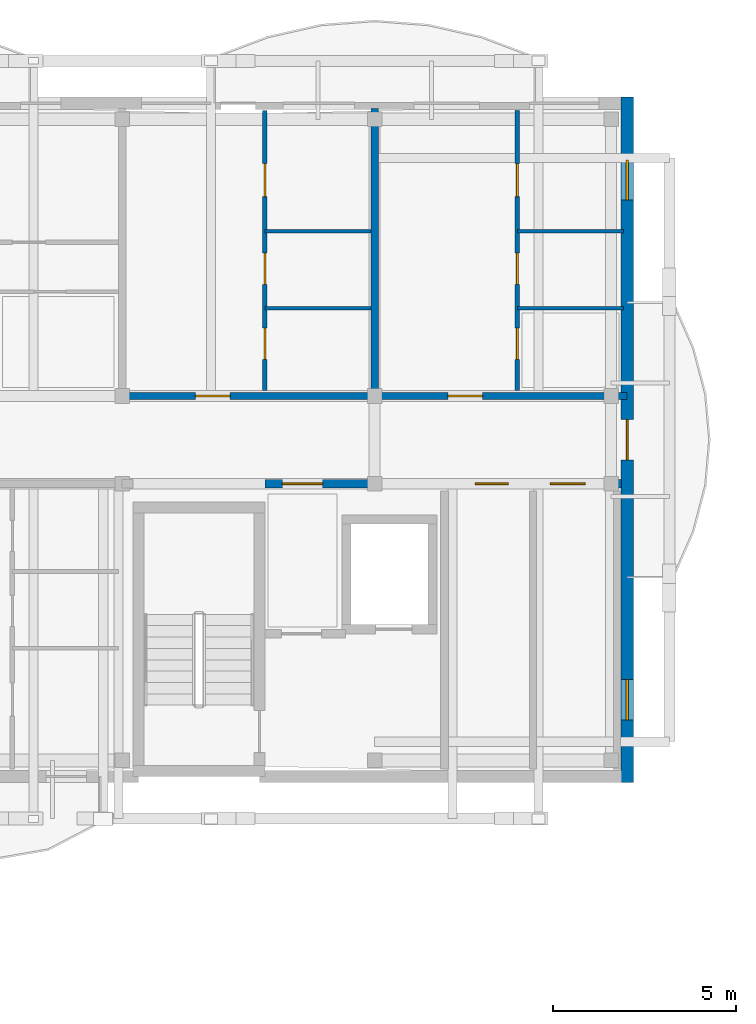
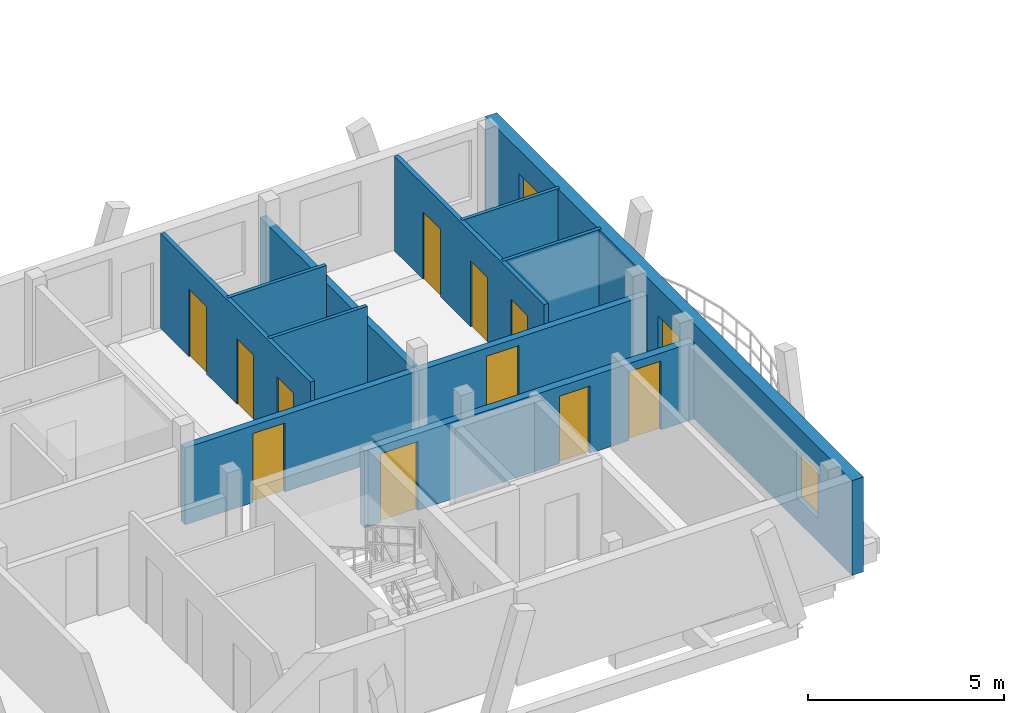
# One storey, part 17 of 29: 12 doors, 11 walls, 2 windows, 14 openings.
"""IFC4 building model written with IfcOpenShell, lengths in metres."""

from ifc_helpers import new_model, si_unit, direction, frame, frame_2d, origin, origin_with_axes, place, context, subcontext, project, spatial, rectangle, extrude, material, layer, layer_set, type_object, element, fill, save


model = new_model("IFC4")

# Units and contexts
model_context = context("Model", 3, precision=1e-05, world=origin(), true_north=direction((0.0, 1.0)))
body_context = subcontext(model_context, "Body", "Model", "MODEL_VIEW")
ifc_project = project(units=[si_unit("LENGTHUNIT", "METRE"), si_unit("AREAUNIT", "SQUARE_METRE"), si_unit("VOLUMEUNIT", "CUBIC_METRE"), si_unit("PLANEANGLEUNIT", "RADIAN"), si_unit("MASSUNIT", "GRAM", prefix="KILO")], contexts=[model_context])

# Site, building, storey
site_placement = place(None, origin())
site = spatial("IfcSite", under=ifc_project, at=site_placement, CompositionType="ELEMENT")
building_placement = place(site_placement, origin())
building = spatial("IfcBuilding", under=site, at=building_placement, Name="Zavelmont Quarter", CompositionType="ELEMENT")
storey_placement = place(building_placement, frame((0.0, 0.0, 33.60009765625)))
storey = spatial("IfcBuildingStorey", under=building, at=storey_placement, Name="L10", CompositionType="ELEMENT", Elevation=33.60009765625)

# Wall, openings, door, windows
ifc_material_1 = material(Name="Natural Belgian limestone", Category="masonry")
ifc_layer_1 = layer(ifc_material_1, 0.340087890625)
ifc_layer_set_1 = layer_set([ifc_layer_1], Name="Natural Belgian limestone")
wall_type_1 = type_object("IfcWallType", Name="EW03", PredefinedType="STANDARD", material=ifc_layer_set_1)
wall_1_placement = place(storey_placement, frame((41.39990234375, 97.429931640625, 0.0), z_axis=(0.0, 0.0, 1.0), x_axis=(0.0, 1.0, 0.0)))
wall_1 = element("IfcWall", 1, at=wall_1_placement, inside=storey, type_object=wall_type_1, Name="L10 exterior limestone wall EW03", PredefinedType="STANDARD", context=body_context, shape_type="SweptSolid", body=[
    extrude(rectangle(XDim=18.739990234375, YDim=0.340087890625, at=frame_2d((9.3701171875, 0.0))), origin(), (0.0, 0.0, 1.0), 2.9599609375),
])
opening_1_placement = place(wall_1_placement, frame((8.820068359375, 0.0, 0.0)))
opening_1 = element("IfcOpeningElement", 2, at=opening_1_placement, cuts=wall_1, Name="Opening DR04B", PredefinedType="OPENING", context=body_context, shape_type="SweptSolid", body=[
    extrude(rectangle(XDim=1.10009765625, YDim=2.10009765625, at=frame_2d((0.550048828125, 1.050048828125))), frame((0.0, 0.18212890625, 0.0), z_axis=(0.0, -1.0, 0.0), x_axis=(1.0, 0.0, 0.0)), (0.0, 0.0, 1.0), 0.364013671875),
])
opening_2_placement = place(wall_1_placement, frame((1.719970703125, 0.0, 0.719970703125)))
opening_2 = element("IfcOpeningElement", 3, at=opening_2_placement, cuts=wall_1, Name="Opening WN09", PredefinedType="OPENING", context=body_context, shape_type="SweptSolid", body=[
    extrude(rectangle(XDim=1.10009765625, YDim=1.5, at=frame_2d((0.550048828125, 0.75))), frame((0.0, 0.18212890625, 0.0), z_axis=(0.0, -1.0, 0.0), x_axis=(1.0, 0.0, 0.0)), (0.0, 0.0, 1.0), 0.364013671875),
])
opening_3_placement = place(wall_1_placement, frame((15.919921875, 0.0, 0.719970703125)))
opening_3 = element("IfcOpeningElement", 4, at=opening_3_placement, cuts=wall_1, Name="Opening WN09", PredefinedType="OPENING", context=body_context, shape_type="SweptSolid", body=[
    extrude(rectangle(XDim=1.10009765625, YDim=1.5, at=frame_2d((0.550048828125, 0.75))), frame((0.0, 0.18212890625, 0.0), z_axis=(0.0, -1.0, 0.0), x_axis=(1.0, 0.0, 0.0)), (0.0, 0.0, 1.0), 0.364013671875),
])
ifc_material_2 = material(Name="Thermally broken aluminium and double safety glass", Category="aluminium")
door_type_1 = type_object("IfcDoorType", Name="DR04B", OperationType="NOTDEFINED", PredefinedType="DOOR", material=ifc_material_2)
door_1_placement = place(opening_1_placement, origin_with_axes())
door_1 = element("IfcDoor", 5, at=door_1_placement, inside=storey, type_object=door_type_1, Name="Block B L10 terrace or vase balcony door", OperationType="SINGLE_SWING_LEFT", OverallHeight=2.10009765625, OverallWidth=1.10009765625, PredefinedType="DOOR", context=body_context, shape_type="SweptSolid", body=[
    extrude(rectangle(XDim=1.10009765625, YDim=2.10009765625, at=frame_2d((0.550048828125, 1.050048828125))), frame((0.0, 0.02490234375, 0.0), z_axis=(0.0, -1.0, 0.0), x_axis=(1.0, 0.0, 0.0)), (0.0, 0.0, 1.0), 0.050048828125),
])
fill(opening_1, door_1)
ifc_material_3 = material(Name="Double low-E insulated glazing in thermally broken aluminium frame", Category="aluminium")
window_type = type_object("IfcWindowType", Name="WN09", PartitioningType="SINGLE_PANEL", PredefinedType="WINDOW", material=ifc_material_3)
window_1_placement = place(opening_2_placement, origin_with_axes())
window_1 = element("IfcWindow", 6, at=window_1_placement, inside=storey, type_object=window_type, Name="L10 window WN09", OverallHeight=1.5, OverallWidth=1.10009765625, PartitioningType="SINGLE_PANEL", PredefinedType="WINDOW", context=body_context, shape_type="SweptSolid", body=[
    extrude(rectangle(XDim=1.10009765625, YDim=1.5, at=frame_2d((0.550048828125, 0.75))), frame((0.0, 0.030029296875, 0.0), z_axis=(0.0, -1.0, 0.0), x_axis=(1.0, 0.0, 0.0)), (0.0, 0.0, 1.0), 0.06005859375),
])
fill(opening_2, window_1)
window_2_placement = place(opening_3_placement, origin_with_axes())
window_2 = element("IfcWindow", 7, at=window_2_placement, inside=storey, type_object=window_type, Name="L10 window WN09", OverallHeight=1.5, OverallWidth=1.10009765625, PartitioningType="SINGLE_PANEL", PredefinedType="WINDOW", context=body_context, shape_type="SweptSolid", body=[
    extrude(rectangle(XDim=1.10009765625, YDim=1.5, at=frame_2d((0.550048828125, 0.75))), frame((0.0, 0.030029296875, 0.0), z_axis=(0.0, -1.0, 0.0), x_axis=(1.0, 0.0, 0.0)), (0.0, 0.0, 1.0), 0.06005859375),
])
fill(opening_3, window_2)

# Wall
ifc_material_4 = material(Name="Calcium-silicate blockwork and acoustic plaster", Category="masonry")
ifc_layer_2 = layer(ifc_material_4, 0.199951171875)
ifc_layer_set_2 = layer_set([ifc_layer_2], Name="Calcium-silicate blockwork and acoustic plaster")
wall_type_2 = type_object("IfcWallType", Name="IW01", PredefinedType="PARTITIONING", material=ifc_layer_set_2)
wall_2_placement = place(storey_placement, frame((34.5, 108.14990234375, 0.0), z_axis=(0.0, 0.0, 1.0), x_axis=(0.0, 1.0, 0.0)))
element("IfcWall", 8, at=wall_2_placement, inside=storey, type_object=wall_type_2, Name="L10 Inter-dwelling compartment wall IW01", PredefinedType="PARTITIONING", context=body_context, shape_type="SweptSolid", body=[
    extrude(rectangle(XDim=7.7001953125, YDim=0.199951171875, at=frame_2d((3.85009765625, 0.0))), origin(), (0.0, 0.0, 1.0), 2.39990234375),
])

# Wall, opening, door
wall_3_placement = place(storey_placement, frame((27.60009765625, 108.0, 0.0), z_axis=(0.0, 0.0, 1.0), x_axis=(1.0, 0.0, 0.0)))
wall_3 = element("IfcWall", 9, at=wall_3_placement, inside=storey, type_object=wall_type_2, Name="L10 Corridor compartment wall IW01", PredefinedType="PARTITIONING", context=body_context, shape_type="SweptSolid", body=[
    extrude(rectangle(XDim=6.89990234375, YDim=0.199951171875, at=frame_2d((3.449951171875, 0.0))), origin(), (0.0, 0.0, 1.0), 2.39990234375),
])
opening_4_placement = place(wall_3_placement, frame((2.0, 0.0, 0.0)))
opening_4 = element("IfcOpeningElement", 10, at=opening_4_placement, cuts=wall_3, Name="Opening DR02", PredefinedType="OPENING", context=body_context, shape_type="SweptSolid", body=[
    extrude(rectangle(XDim=0.949951171875, YDim=2.14990234375, at=frame_2d((0.47509765625, 1.074951171875))), frame((0.0, 0.11181640625, 0.0), z_axis=(0.0, -1.0, 0.0), x_axis=(1.0, 0.0, 0.0)), (0.0, 0.0, 1.0), 0.223876953125),
])
ifc_material_5 = material(Name="Solid-core oak fire leaf in steel frame", Category="steel")
door_type_2 = type_object("IfcDoorType", Name="DR02", OperationType="NOTDEFINED", PredefinedType="DOOR", material=ifc_material_5)
door_2_placement = place(opening_4_placement, origin_with_axes())
door_2 = element("IfcDoor", 11, at=door_2_placement, inside=storey, type_object=door_type_2, Name="L10 door DR02", OperationType="SINGLE_SWING_RIGHT", OverallHeight=2.14990234375, OverallWidth=0.949951171875, PredefinedType="DOOR", context=body_context, shape_type="SweptSolid", body=[
    extrude(rectangle(XDim=0.949951171875, YDim=2.14990234375, at=frame_2d((0.47509765625, 1.074951171875))), frame((0.0, 0.02490234375, 0.0), z_axis=(0.0, -1.0, 0.0), x_axis=(1.0, 0.0, 0.0)), (0.0, 0.0, 1.0), 0.050048828125),
])
fill(opening_4, door_2)

wall_4_placement = place(storey_placement, frame((34.5, 108.0, 0.0), z_axis=(0.0, 0.0, 1.0), x_axis=(1.0, 0.0, 0.0)))
wall_4 = element("IfcWall", 12, at=wall_4_placement, inside=storey, type_object=wall_type_2, Name="L10 Corridor compartment wall IW01", PredefinedType="PARTITIONING", context=body_context, shape_type="SweptSolid", body=[
    extrude(rectangle(XDim=6.89990234375, YDim=0.199951171875, at=frame_2d((3.449951171875, 0.0))), origin(), (0.0, 0.0, 1.0), 2.39990234375),
])
opening_5_placement = place(wall_4_placement, frame((2.0, 0.0, 0.0)))
opening_5 = element("IfcOpeningElement", 13, at=opening_5_placement, cuts=wall_4, Name="Opening DR02", PredefinedType="OPENING", context=body_context, shape_type="SweptSolid", body=[
    extrude(rectangle(XDim=0.949951171875, YDim=2.14990234375, at=frame_2d((0.47509765625, 1.074951171875))), frame((0.0, 0.11181640625, 0.0), z_axis=(0.0, -1.0, 0.0), x_axis=(1.0, 0.0, 0.0)), (0.0, 0.0, 1.0), 0.223876953125),
])
door_3_placement = place(opening_5_placement, origin_with_axes())
door_3 = element("IfcDoor", 14, at=door_3_placement, inside=storey, type_object=door_type_2, Name="L10 door DR02", OperationType="SINGLE_SWING_LEFT", OverallHeight=2.14990234375, OverallWidth=0.949951171875, PredefinedType="DOOR", context=body_context, shape_type="SweptSolid", body=[
    extrude(rectangle(XDim=0.949951171875, YDim=2.14990234375, at=frame_2d((0.47509765625, 1.074951171875))), frame((0.0, 0.02490234375, 0.0), z_axis=(0.0, -1.0, 0.0), x_axis=(1.0, 0.0, 0.0)), (0.0, 0.0, 1.0), 0.050048828125),
])
fill(opening_5, door_3)

# Wall, openings, doors
ifc_material_6 = material(Name="Reinforced masonry fire compartment wall", Category="masonry")
ifc_layer_3 = layer(ifc_material_6, 0.22509765625)
ifc_layer_set_3 = layer_set([ifc_layer_3], Name="Reinforced masonry fire compartment wall")
wall_type_3 = type_object("IfcWallType", Name="IW02", PredefinedType="PARTITIONING", material=ifc_layer_set_3)
wall_5_placement = place(storey_placement, frame((31.5, 105.60009765625, 0.0), z_axis=(0.0, 0.0, 1.0), x_axis=(1.0, 0.0, 0.0)))
wall_5 = element("IfcWall", 15, at=wall_5_placement, inside=storey, type_object=wall_type_3, Name="L10 Core corridor fire wall IW02", PredefinedType="PARTITIONING", context=body_context, shape_type="SweptSolid", body=[
    extrude(rectangle(XDim=9.75, YDim=0.22509765625, at=frame_2d((4.875, 0.0))), origin(), (0.0, 0.0, 1.0), 2.39990234375),
])
opening_6_placement = place(wall_5_placement, frame((0.47509765625, 0.0, 0.0)))
opening_6 = element("IfcOpeningElement", 16, at=opening_6_placement, cuts=wall_5, Name="Opening DR10", PredefinedType="OPENING", context=body_context, shape_type="SweptSolid", body=[
    extrude(rectangle(XDim=1.10009765625, YDim=2.14990234375, at=frame_2d((0.550048828125, 1.074951171875))), frame((0.0, 0.12451171875, 0.0), z_axis=(0.0, -1.0, 0.0), x_axis=(1.0, 0.0, 0.0)), (0.0, 0.0, 1.0), 0.2490234375),
])
opening_7_placement = place(wall_5_placement, frame((5.75, 0.0, 0.0)))
opening_7 = element("IfcOpeningElement", 17, at=opening_7_placement, cuts=wall_5, Name="Opening DR11", PredefinedType="OPENING", context=body_context, shape_type="SweptSolid", body=[
    extrude(rectangle(XDim=0.89990234375, YDim=2.10009765625, at=frame_2d((0.449951171875, 1.050048828125))), frame((0.0, 0.12451171875, 0.0), z_axis=(0.0, -1.0, 0.0), x_axis=(1.0, 0.0, 0.0)), (0.0, 0.0, 1.0), 0.2490234375),
])
opening_8_placement = place(wall_5_placement, frame((7.800048828125, 0.0, 0.0)))
opening_8 = element("IfcOpeningElement", 18, at=opening_8_placement, cuts=wall_5, Name="Opening DR02", PredefinedType="OPENING", context=body_context, shape_type="SweptSolid", body=[
    extrude(rectangle(XDim=0.949951171875, YDim=2.14990234375, at=frame_2d((0.47509765625, 1.074951171875))), frame((0.0, 0.12451171875, 0.0), z_axis=(0.0, -1.0, 0.0), x_axis=(1.0, 0.0, 0.0)), (0.0, 0.0, 1.0), 0.2490234375),
])
door_4_placement = place(opening_8_placement, origin_with_axes())
door_4 = element("IfcDoor", 19, at=door_4_placement, inside=storey, type_object=door_type_2, Name="Auxiliary store corridor door", OperationType="SINGLE_SWING_RIGHT", OverallHeight=2.14990234375, OverallWidth=0.949951171875, PredefinedType="DOOR", context=body_context, shape_type="SweptSolid", body=[
    extrude(rectangle(XDim=0.949951171875, YDim=2.14990234375, at=frame_2d((0.47509765625, 1.074951171875))), frame((0.0, 0.02490234375, 0.0), z_axis=(0.0, -1.0, 0.0), x_axis=(1.0, 0.0, 0.0)), (0.0, 0.0, 1.0), 0.050048828125),
])
fill(opening_8, door_4)
ifc_material_7 = material(Name="Painted steel lobby fire door", Category="steel")
door_type_3 = type_object("IfcDoorType", Name="DR10", OperationType="NOTDEFINED", PredefinedType="DOOR", material=ifc_material_7)
door_5_placement = place(opening_6_placement, frame((1.10009765625, 0.0, 0.0), z_axis=(0.0, 0.0, 1.0), x_axis=(-1.0, 0.0, 0.0)))
door_5 = element("IfcDoor", 20, at=door_5_placement, inside=storey, type_object=door_type_3, Name="Core vestibule fire door", OperationType="SINGLE_SWING_RIGHT", OverallHeight=2.14990234375, OverallWidth=1.10009765625, PredefinedType="DOOR", context=body_context, shape_type="SweptSolid", body=[
    extrude(rectangle(XDim=1.10009765625, YDim=2.14990234375, at=frame_2d((0.550048828125, 1.074951171875))), frame((0.0, 0.02490234375, 0.0), z_axis=(0.0, -1.0, 0.0), x_axis=(1.0, 0.0, 0.0)), (0.0, 0.0, 1.0), 0.050048828125),
])
fill(opening_6, door_5)
ifc_material_8 = material(Name="Painted steel service-riser fire door", Category="steel")
door_type_4 = type_object("IfcDoorType", Name="DR11", OperationType="NOTDEFINED", PredefinedType="DOOR", material=ifc_material_8)
door_6_placement = place(opening_7_placement, origin_with_axes())
door_6 = element("IfcDoor", 21, at=door_6_placement, inside=storey, type_object=door_type_4, Name="Service riser fire door", OperationType="SINGLE_SWING_LEFT", OverallHeight=2.10009765625, OverallWidth=0.89990234375, PredefinedType="DOOR", context=body_context, shape_type="SweptSolid", body=[
    extrude(rectangle(XDim=0.89990234375, YDim=2.10009765625, at=frame_2d((0.449951171875, 1.050048828125))), frame((0.0, 0.02490234375, 0.0), z_axis=(0.0, -1.0, 0.0), x_axis=(1.0, 0.0, 0.0)), (0.0, 0.0, 1.0), 0.050048828125),
])
fill(opening_7, door_6)

ifc_material_9 = material(Name="Double gypsum board on acoustic steel stud", Category="steel")
ifc_layer_4 = layer(ifc_material_9, 0.125)
ifc_layer_set_4 = layer_set([ifc_layer_4], Name="Double gypsum board on acoustic steel stud")
wall_type_4 = type_object("IfcWallType", Name="IW03", PredefinedType="PARTITIONING", material=ifc_layer_set_4)
wall_6_placement = place(storey_placement, frame((31.5, 108.14990234375, 0.0), z_axis=(0.0, 0.0, 1.0), x_axis=(0.0, 1.0, 0.0)))
wall_6 = element("IfcWall", 22, at=wall_6_placement, inside=storey, type_object=wall_type_4, Name="L10 Partition IW03", PredefinedType="PARTITIONING", context=body_context, shape_type="SweptSolid", body=[
    extrude(rectangle(XDim=7.650146484375, YDim=0.125, at=frame_2d((3.8251953125, 0.0))), origin(), (0.0, 0.0, 1.0), 2.9599609375),
])
opening_9_placement = place(wall_6_placement, frame((0.85009765625, 0.0, 0.0)))
opening_9 = element("IfcOpeningElement", 23, at=opening_9_placement, cuts=wall_6, Name="Opening DR16", PredefinedType="OPENING", context=body_context, shape_type="SweptSolid", body=[
    extrude(rectangle(XDim=0.85009765625, YDim=2.10009765625, at=frame_2d((0.425048828125, 1.050048828125))), frame((0.0, 0.074462890625, 0.0), z_axis=(0.0, -1.0, 0.0), x_axis=(1.0, 0.0, 0.0)), (0.0, 0.0, 1.0), 0.14892578125),
])
opening_10_placement = place(wall_6_placement, frame((2.89990234375, 0.0, 0.0)))
opening_10 = element("IfcOpeningElement", 24, at=opening_10_placement, cuts=wall_6, Name="Opening DR06", PredefinedType="OPENING", context=body_context, shape_type="SweptSolid", body=[
    extrude(rectangle(XDim=0.85009765625, YDim=2.050048828125, at=frame_2d((0.425048828125, 1.02490234375))), frame((0.0, 0.074462890625, 0.0), z_axis=(0.0, -1.0, 0.0), x_axis=(1.0, 0.0, 0.0)), (0.0, 0.0, 1.0), 0.14892578125),
])
opening_11_placement = place(wall_6_placement, frame((5.300048828125, 0.0, 0.0)))
opening_11 = element("IfcOpeningElement", 25, at=opening_11_placement, cuts=wall_6, Name="Opening DR05", PredefinedType="OPENING", context=body_context, shape_type="SweptSolid", body=[
    extrude(rectangle(XDim=0.89990234375, YDim=2.10009765625, at=frame_2d((0.449951171875, 1.050048828125))), frame((0.0, 0.074462890625, 0.0), z_axis=(0.0, -1.0, 0.0), x_axis=(1.0, 0.0, 0.0)), (0.0, 0.0, 1.0), 0.14892578125),
])
ifc_material_10 = material(Name="Engineered oak flush interior door")
door_type_5 = type_object("IfcDoorType", Name="DR05", OperationType="NOTDEFINED", PredefinedType="DOOR", material=ifc_material_10)
door_7_placement = place(opening_11_placement, frame((0.89990234375, 0.0, 0.0), z_axis=(0.0, 0.0, 1.0), x_axis=(-1.0, 0.0, 0.0)))
door_7 = element("IfcDoor", 26, at=door_7_placement, inside=storey, type_object=door_type_5, Name="L10 door DR05", OperationType="SINGLE_SWING_RIGHT", OverallHeight=2.10009765625, OverallWidth=0.89990234375, PredefinedType="DOOR", context=body_context, shape_type="SweptSolid", body=[
    extrude(rectangle(XDim=0.89990234375, YDim=2.10009765625, at=frame_2d((0.449951171875, 1.050048828125))), frame((0.0, 0.02490234375, 0.0), z_axis=(0.0, -1.0, 0.0), x_axis=(1.0, 0.0, 0.0)), (0.0, 0.0, 1.0), 0.050048828125),
])
fill(opening_11, door_7)
ifc_material_11 = material(Name="Moisture-resistant painted wet-room door")
door_type_6 = type_object("IfcDoorType", Name="DR06", OperationType="NOTDEFINED", PredefinedType="DOOR", material=ifc_material_11)
door_8_placement = place(opening_10_placement, origin_with_axes())
door_8 = element("IfcDoor", 27, at=door_8_placement, inside=storey, type_object=door_type_6, Name="L10 door DR06", OperationType="SINGLE_SWING_LEFT", OverallHeight=2.050048828125, OverallWidth=0.85009765625, PredefinedType="DOOR", context=body_context, shape_type="SweptSolid", body=[
    extrude(rectangle(XDim=0.85009765625, YDim=2.050048828125, at=frame_2d((0.425048828125, 1.02490234375))), frame((0.0, 0.02490234375, 0.0), z_axis=(0.0, -1.0, 0.0), x_axis=(1.0, 0.0, 0.0)), (0.0, 0.0, 1.0), 0.050048828125),
])
fill(opening_10, door_8)
door_type_7 = type_object("IfcDoorType", Name="DR16", OperationType="NOTDEFINED", PredefinedType="DOOR", material=ifc_material_10)
door_9_placement = place(opening_9_placement, frame((0.85009765625, 0.0, 0.0), z_axis=(0.0, 0.0, 1.0), x_axis=(-1.0, 0.0, 0.0)))
door_9 = element("IfcDoor", 28, at=door_9_placement, inside=storey, type_object=door_type_7, Name="L10 door DR16", OperationType="SINGLE_SWING_RIGHT", OverallHeight=2.10009765625, OverallWidth=0.85009765625, PredefinedType="DOOR", context=body_context, shape_type="SweptSolid", body=[
    extrude(rectangle(XDim=0.85009765625, YDim=2.10009765625, at=frame_2d((0.425048828125, 1.050048828125))), frame((0.0, 0.02490234375, 0.0), z_axis=(0.0, -1.0, 0.0), x_axis=(1.0, 0.0, 0.0)), (0.0, 0.0, 1.0), 0.050048828125),
])
fill(opening_9, door_9)

wall_7_placement = place(storey_placement, frame((38.39990234375, 108.14990234375, 0.0), z_axis=(0.0, 0.0, 1.0), x_axis=(0.0, 1.0, 0.0)))
wall_7 = element("IfcWall", 29, at=wall_7_placement, inside=storey, type_object=wall_type_4, Name="L10 Partition IW03", PredefinedType="PARTITIONING", context=body_context, shape_type="SweptSolid", body=[
    extrude(rectangle(XDim=7.650146484375, YDim=0.125, at=frame_2d((3.8251953125, 0.0))), origin(), (0.0, 0.0, 1.0), 2.9599609375),
])
opening_12_placement = place(wall_7_placement, frame((0.85009765625, 0.0, 0.0)))
opening_12 = element("IfcOpeningElement", 30, at=opening_12_placement, cuts=wall_7, Name="Opening DR16", PredefinedType="OPENING", context=body_context, shape_type="SweptSolid", body=[
    extrude(rectangle(XDim=0.85009765625, YDim=2.10009765625, at=frame_2d((0.425048828125, 1.050048828125))), frame((0.0, 0.074462890625, 0.0), z_axis=(0.0, -1.0, 0.0), x_axis=(1.0, 0.0, 0.0)), (0.0, 0.0, 1.0), 0.14892578125),
])
opening_13_placement = place(wall_7_placement, frame((2.89990234375, 0.0, 0.0)))
opening_13 = element("IfcOpeningElement", 31, at=opening_13_placement, cuts=wall_7, Name="Opening DR06", PredefinedType="OPENING", context=body_context, shape_type="SweptSolid", body=[
    extrude(rectangle(XDim=0.85009765625, YDim=2.050048828125, at=frame_2d((0.425048828125, 1.02490234375))), frame((0.0, 0.074462890625, 0.0), z_axis=(0.0, -1.0, 0.0), x_axis=(1.0, 0.0, 0.0)), (0.0, 0.0, 1.0), 0.14892578125),
])
opening_14_placement = place(wall_7_placement, frame((5.300048828125, 0.0, 0.0)))
opening_14 = element("IfcOpeningElement", 32, at=opening_14_placement, cuts=wall_7, Name="Opening DR05", PredefinedType="OPENING", context=body_context, shape_type="SweptSolid", body=[
    extrude(rectangle(XDim=0.89990234375, YDim=2.10009765625, at=frame_2d((0.449951171875, 1.050048828125))), frame((0.0, 0.074462890625, 0.0), z_axis=(0.0, -1.0, 0.0), x_axis=(1.0, 0.0, 0.0)), (0.0, 0.0, 1.0), 0.14892578125),
])
door_10_placement = place(opening_14_placement, frame((0.89990234375, 0.0, 0.0), z_axis=(0.0, 0.0, 1.0), x_axis=(-1.0, 0.0, 0.0)))
door_10 = element("IfcDoor", 33, at=door_10_placement, inside=storey, type_object=door_type_5, Name="L10 door DR05", OperationType="SINGLE_SWING_LEFT", OverallHeight=2.10009765625, OverallWidth=0.89990234375, PredefinedType="DOOR", context=body_context, shape_type="SweptSolid", body=[
    extrude(rectangle(XDim=0.89990234375, YDim=2.10009765625, at=frame_2d((0.449951171875, 1.050048828125))), frame((0.0, 0.02490234375, 0.0), z_axis=(0.0, -1.0, 0.0), x_axis=(1.0, 0.0, 0.0)), (0.0, 0.0, 1.0), 0.050048828125),
])
fill(opening_14, door_10)
door_11_placement = place(opening_13_placement, origin_with_axes())
door_11 = element("IfcDoor", 34, at=door_11_placement, inside=storey, type_object=door_type_6, Name="L10 door DR06", OperationType="SINGLE_SWING_RIGHT", OverallHeight=2.050048828125, OverallWidth=0.85009765625, PredefinedType="DOOR", context=body_context, shape_type="SweptSolid", body=[
    extrude(rectangle(XDim=0.85009765625, YDim=2.050048828125, at=frame_2d((0.425048828125, 1.02490234375))), frame((0.0, 0.02490234375, 0.0), z_axis=(0.0, -1.0, 0.0), x_axis=(1.0, 0.0, 0.0)), (0.0, 0.0, 1.0), 0.050048828125),
])
fill(opening_13, door_11)
door_12_placement = place(opening_12_placement, frame((0.85009765625, 0.0, 0.0), z_axis=(0.0, 0.0, 1.0), x_axis=(-1.0, 0.0, 0.0)))
door_12 = element("IfcDoor", 35, at=door_12_placement, inside=storey, type_object=door_type_7, Name="L10 door DR16", OperationType="SINGLE_SWING_LEFT", OverallHeight=2.10009765625, OverallWidth=0.85009765625, PredefinedType="DOOR", context=body_context, shape_type="SweptSolid", body=[
    extrude(rectangle(XDim=0.85009765625, YDim=2.10009765625, at=frame_2d((0.425048828125, 1.050048828125))), frame((0.0, 0.02490234375, 0.0), z_axis=(0.0, -1.0, 0.0), x_axis=(1.0, 0.0, 0.0)), (0.0, 0.0, 1.0), 0.050048828125),
])
fill(opening_12, door_12)

# Walls
ifc_material_12 = material(Name="Moisture-resistant gypsum board on steel stud", Category="steel")
ifc_layer_5 = layer(ifc_material_12, 0.10009765625)
ifc_layer_set_5 = layer_set([ifc_layer_5], Name="Moisture-resistant gypsum board on steel stud")
wall_type_5 = type_object("IfcWallType", Name="IW04", PredefinedType="PARTITIONING", material=ifc_layer_set_5)
for number, where, z_axis, x_axis, name in (
    (36, (31.5, 110.39990234375, 0.0), (0.0, 0.0, 1.0), (1.0, 0.0, 0.0), "L10 Partition IW04"),
    (37, (31.5, 112.5, 0.0), (0.0, 0.0, 1.0), (1.0, 0.0, 0.0), "L10 Partition IW04"),
):
    element("IfcWall", number, at=place(storey_placement, frame(where, z_axis=z_axis, x_axis=x_axis)), inside=storey, type_object=wall_type_5, Name=name, PredefinedType="PARTITIONING", context=body_context, shape_type="SweptSolid", body=[
        extrude(rectangle(XDim=2.89990234375, YDim=0.10009765625, at=frame_2d((1.449951171875, 0.0))), origin(), (0.0, 0.0, 1.0), 2.9599609375),
    ])
for number, where, z_axis, x_axis, name in (
    (38, (38.39990234375, 110.39990234375, 0.0), (0.0, 0.0, 1.0), (1.0, 0.0, 0.0), "L10 Partition IW04"),
    (39, (38.39990234375, 112.5, 0.0), (0.0, 0.0, 1.0), (1.0, 0.0, 0.0), "L10 Partition IW04"),
):
    element("IfcWall", number, at=place(storey_placement, frame(where, z_axis=z_axis, x_axis=x_axis)), inside=storey, type_object=wall_type_5, Name=name, PredefinedType="PARTITIONING", context=body_context, shape_type="SweptSolid", body=[
        extrude(rectangle(XDim=2.900146484375, YDim=0.10009765625, at=frame_2d((1.4501953125, 0.0))), origin(), (0.0, 0.0, 1.0), 2.9599609375),
    ])

save(model, "model.ifc")
